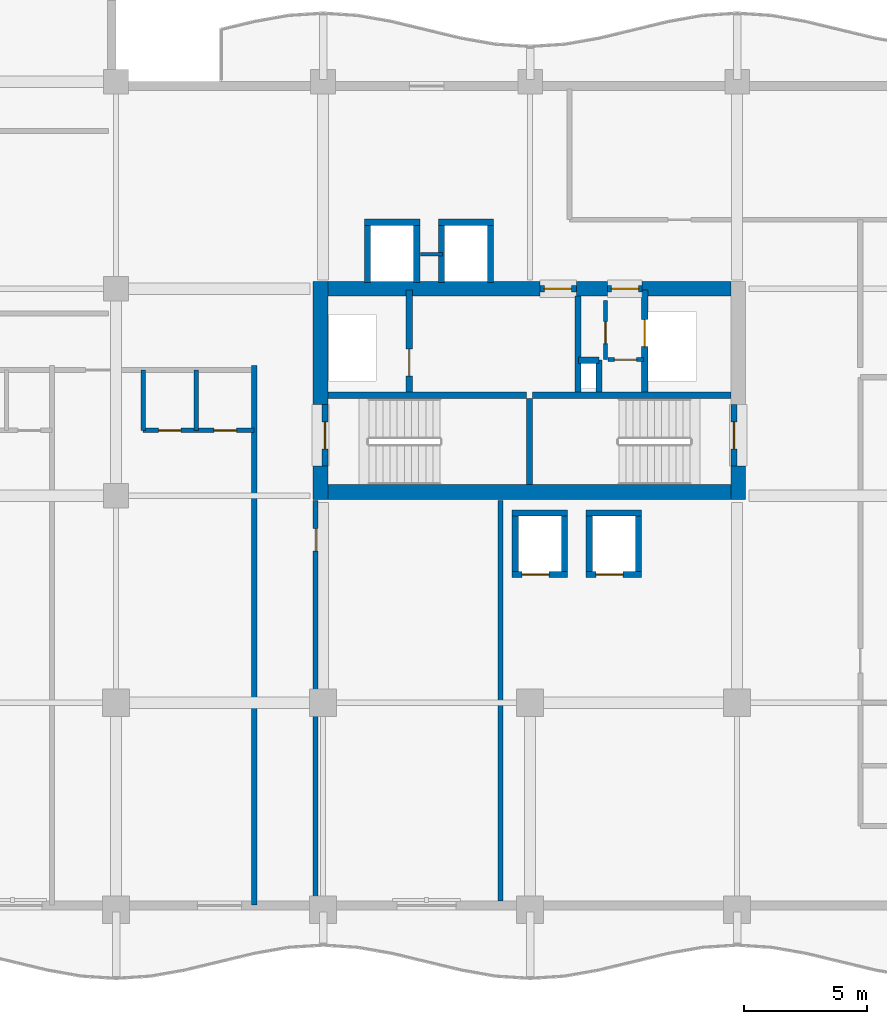
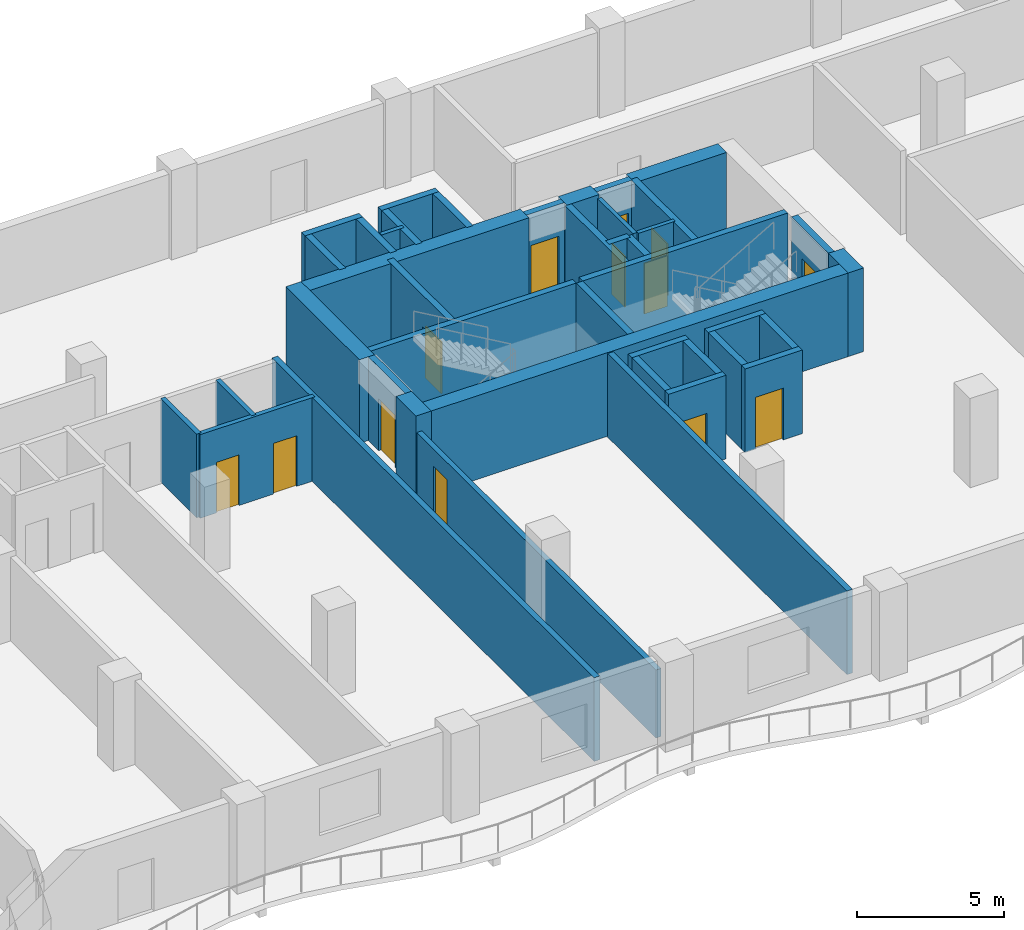
# One storey, part 8 of 19: 42 walls, 13 doors, 13 openings.
"""IFC4 building model written with IfcOpenShell, lengths in metres."""

import ifcopenshell
import ifcopenshell.guid

model = None  # the IFC model being written
_history = None  # IfcOwnerHistory: only IFC2X3 demands one
_inside = {}  # id of a spatial element -> (the spatial element, [elements in it])
_under = {}  # id of a project, library or spatial element -> (it, [spatial elements below it])
_declared = {}  # id of a project -> (the project, [libraries it declares])
_typed = {}  # id of a type object -> (the type object, [elements of that type])
_made_of = {}  # id of a material, layer set ... -> (it, [elements and type objects made of it])


def new_model(schema):
    """Start an empty IFC model of exactly this schema.

    Asked for "IFC4X3", IfcOpenShell would pick the latest addendum, in which some entities
    have other attributes; the version numbers below select the first issue.
    IFC2X3 requires an IfcOwnerHistory on every rooted entity: one is made here for all.
    """
    global model, _history
    if schema == "IFC4X3":
        model = ifcopenshell.file(schema_version=(4, 3, 0, 0))
    else:
        model = ifcopenshell.file(schema=schema)
    _inside.clear()
    _under.clear()
    _declared.clear()
    _typed.clear()
    _made_of.clear()
    _history = None
    if model.schema == "IFC2X3":
        org = make("IfcOrganization", Name="unknown")
        user = make(
            "IfcPersonAndOrganization",
            ThePerson=make("IfcPerson", FamilyName="unknown"),
            TheOrganization=org,
        )
        app = make(
            "IfcApplication",
            ApplicationDeveloper=org,
            Version="unknown",
            ApplicationFullName="unknown",
            ApplicationIdentifier="unknown",
        )
        _history = make(
            "IfcOwnerHistory",
            OwningUser=user,
            OwningApplication=app,
            ChangeAction="ADDED",
            CreationDate=0,
        )
    return model


def make(cls, **values):
    """One entity of the class cls with the attributes given. An attribute that is None is left unset."""
    return model.create_entity(
        cls, **{name: value for name, value in values.items() if value is not None}
    )


def rooted(cls, **values):
    """An entity with a GlobalId (a new one), such as an element, a storey or a relation."""
    return make(cls, GlobalId=ifcopenshell.guid.new(), OwnerHistory=_history, **values)


def si_unit(unit_type, name, prefix=None):
    """IfcSIUnit, for example si_unit("LENGTHUNIT", "METRE", prefix="MILLI")."""
    return make("IfcSIUnit", UnitType=unit_type, Prefix=prefix, Name=name)


def assignment(units):
    """IfcUnitAssignment: the units of a project."""
    return None if units is None else make("IfcUnitAssignment", Units=units)


def point(xyz):
    """IfcCartesianPoint."""
    return None if xyz is None else make("IfcCartesianPoint", Coordinates=xyz)


def direction(xyz):
    """IfcDirection."""
    return None if xyz is None else make("IfcDirection", DirectionRatios=xyz)


def frame(location, z_axis=None, x_axis=None):
    """IfcAxis2Placement3D, a coordinate frame: its origin and axes. An axis left out is left unset."""
    return make(
        "IfcAxis2Placement3D",
        Location=point(location),
        Axis=direction(z_axis),
        RefDirection=direction(x_axis),
    )


def frame_2d(location, x_axis=None):
    """IfcAxis2Placement2D, a coordinate frame in the plane: its origin and x axis."""
    return make(
        "IfcAxis2Placement2D", Location=point(location), RefDirection=direction(x_axis)
    )


def origin():
    """The frame at (0, 0, 0) with its axes left unset."""
    return frame((0.0, 0.0, 0.0))


def place(relative_to, where):
    """IfcLocalPlacement: puts the frame where relative to a parent placement (None: the world)."""
    return make(
        "IfcLocalPlacement", PlacementRelTo=relative_to, RelativePlacement=where
    )


def context(
    kind, dimensions, precision=None, world=None, true_north=None, identifier=None
):
    """IfcGeometricRepresentationContext, for example the 3D "Model" context."""
    return make(
        "IfcGeometricRepresentationContext",
        ContextIdentifier=identifier,
        ContextType=kind,
        CoordinateSpaceDimension=dimensions,
        Precision=precision,
        WorldCoordinateSystem=world,
        TrueNorth=true_north,
    )


def subcontext(parent, identifier, kind, view, scale=None):
    """IfcGeometricRepresentationSubContext, for example "Body" below "Model"."""
    return make(
        "IfcGeometricRepresentationSubContext",
        ContextIdentifier=identifier,
        ContextType=kind,
        ParentContext=parent,
        TargetScale=scale,
        TargetView=view,
    )


def project(units=None, contexts=None):
    """IfcProject with its units and contexts."""
    return rooted(
        "IfcProject",
        Name="project",
        RepresentationContexts=contexts,
        UnitsInContext=assignment(units),
    )


def spatial(cls, under=None, at=None, **own):
    """A site, building, storey or space (cls), placed at a placement, below another one or the project."""
    s = rooted(cls, ObjectPlacement=at, **own)
    if under is not None:
        _under.setdefault(under.id(), (under, []))[1].append(s)
    return s


def profile(cls, at=None, kind="AREA", **sizes):
    """A parametric profile (cls). Its sizes go by their IFC names, for example OverallWidth=200.0."""
    return make(cls, ProfileType=kind, Position=at, **sizes)


def rectangle(**sizes):
    """IfcRectangleProfileDef."""
    return profile("IfcRectangleProfileDef", **sizes)


def extrude(swept, where, along, depth):
    """IfcExtrudedAreaSolid: the profile swept, set in the frame where, extruded along a direction by depth."""
    return make(
        "IfcExtrudedAreaSolid",
        SweptArea=swept,
        Position=where,
        ExtrudedDirection=direction(along),
        Depth=depth,
    )


def shape(context_of_items, identifier, shape_type, items):
    """IfcShapeRepresentation: the items that make up one representation, for example the "Body"."""
    return make(
        "IfcShapeRepresentation",
        ContextOfItems=context_of_items,
        RepresentationIdentifier=identifier,
        RepresentationType=shape_type,
        Items=items,
    )


def material(Name=None, Category=None):
    """IfcMaterial."""
    return make("IfcMaterial", Name=Name, Category=Category)


def layer(
    of_material, thickness, ventilated=None, Name=None, Category=None, Priority=None
):
    """IfcMaterialLayer: one layer of a wall or slab, of a material (None: an air gap)."""
    return make(
        "IfcMaterialLayer",
        Material=of_material,
        LayerThickness=thickness,
        IsVentilated=ventilated,
        Name=Name,
        Category=Category,
        Priority=Priority,
    )


def layer_set(layers, Name=None):
    """IfcMaterialLayerSet."""
    return make("IfcMaterialLayerSet", MaterialLayers=layers, LayerSetName=Name)


def made_of(thing, what):
    """Note that an element or type object is made of a material, layer set ...; save() writes the relation."""
    if what is not None:
        _made_of.setdefault(what.id(), (what, []))[1].append(thing)
    return thing


def type_object(cls, material=None, **own):
    """A type object (cls), such as IfcWallType, which elements share."""
    return made_of(rooted(cls, **own), material)


def element(
    cls,
    number,
    at=None,
    inside=None,
    cuts=None,
    type_object=None,
    material=None,
    context=None,
    identifier="Body",
    shape_type=None,
    held_by="IfcProductDefinitionShape",
    body=None,
    shapes=None,
    **own,
):
    """One element of the class cls, such as IfcWall. Its Tag is "e" and its number.

    at: its placement. inside: the storey or other place that contains it. cuts: it is an
    opening in that element (IfcRelVoidsElement). A single representation is given by context,
    identifier, shape_type and body (its items); several are given by shapes. held_by: the class
    of the entity that holds the representations. save() writes the other relations.
    """
    e = rooted(cls, Tag="e%d" % number, ObjectPlacement=at, **own)
    if body is not None:
        shapes = [shape(context, identifier, shape_type, body)]
    if shapes is not None:
        e.Representation = make(held_by, Representations=shapes)
    if inside is not None:
        _inside.setdefault(inside.id(), (inside, []))[1].append(e)
    if cuts is not None:
        rooted(
            "IfcRelVoidsElement", RelatingBuildingElement=cuts, RelatedOpeningElement=e
        )
    if type_object is not None:
        _typed.setdefault(type_object.id(), (type_object, []))[1].append(e)
    return made_of(e, material)


def fill(opening, filler):
    """IfcRelFillsElement: the door or window that sits in an opening."""
    return rooted(
        "IfcRelFillsElement",
        RelatingOpeningElement=opening,
        RelatedBuildingElement=filler,
    )


def aggregate(whole, parts):
    """IfcRelAggregates: a whole, such as a stair, and the parts it consists of."""
    return rooted("IfcRelAggregates", RelatingObject=whole, RelatedObjects=parts)


def save(model, path):
    """Write the relations noted so far, then the file.

    IfcRelAggregates (storeys below a building ...), IfcRelContainedInSpatialStructure (elements
    in a storey), IfcRelDefinesByType, IfcRelAssociatesMaterial and IfcRelDeclares: one each for
    every whole, place, type object, material and project.
    """
    for whole, parts in _under.values():
        aggregate(whole, parts)
    for where, things in _inside.values():
        rooted(
            "IfcRelContainedInSpatialStructure",
            RelatedElements=things,
            RelatingStructure=where,
        )
    for kind, things in _typed.values():
        rooted("IfcRelDefinesByType", RelatedObjects=things, RelatingType=kind)
    for what, things in _made_of.values():
        rooted("IfcRelAssociatesMaterial", RelatedObjects=things, RelatingMaterial=what)
    for by, libraries in _declared.values():
        rooted("IfcRelDeclares", RelatingContext=by, RelatedDefinitions=libraries)
    model.write(path)


model = new_model("IFC4")

# Units and contexts
model_context = context("Model", 3, precision=1e-05, world=origin(), true_north=direction((0.0, 1.0)))
body_context = subcontext(model_context, "Body", "Model", "MODEL_VIEW")
ifc_project = project(units=[si_unit("LENGTHUNIT", "METRE"), si_unit("AREAUNIT", "SQUARE_METRE"), si_unit("VOLUMEUNIT", "CUBIC_METRE"), si_unit("PLANEANGLEUNIT", "RADIAN"), si_unit("MASSUNIT", "GRAM", prefix="KILO")], contexts=[model_context])

# Site, building, storey
site_placement = place(None, origin())
site = spatial("IfcSite", under=ifc_project, at=site_placement, CompositionType="ELEMENT")
building_placement = place(site_placement, origin())
building = spatial("IfcBuilding", under=site, at=building_placement, Name="Koriwani Terraces Tower", CompositionType="ELEMENT")
storey_placement = place(building_placement, frame((0.0, 0.0, 190.199951171875)))
storey = spatial("IfcBuildingStorey", under=building, at=storey_placement, Name="L46", CompositionType="ELEMENT", Elevation=190.199951171875)

# Walls
ifc_material_1 = material(Name="Concrete C60/75", Category="concrete")
ifc_layer_1 = layer(ifc_material_1, 0.60009765625, Name="Concrete C60/75")
ifc_layer_set_1 = layer_set([ifc_layer_1], Name="Concrete C60/75")
wall_type_1 = type_object("IfcWallType", Name="WALL_CORE_RC_600", PredefinedType="SHEAR", material=ifc_layer_set_1)
wall_1_placement = place(storey_placement, frame((41.89990234375, 16.64990234375, 0.0), z_axis=(0.0, 0.0, 1.0), x_axis=(0.0, 1.0, 0.0)))
element("IfcWall", 1, at=wall_1_placement, inside=storey, type_object=wall_type_1, Name="L46 East Split Core Shear Wall W1", PredefinedType="SHEAR", context=body_context, shape_type="SweptSolid", body=[
    extrude(rectangle(XDim=1.35009765625, YDim=0.60009765625, at=frame_2d((0.675048828125, 0.0))), origin(), (0.0, 0.0, 1.0), 3.469970703125),
])
wall_2_placement = place(storey_placement, frame((41.89990234375, 20.5, 0.0), z_axis=(0.0, 0.0, 1.0), x_axis=(0.0, 1.0, 0.0)))
element("IfcWall", 2, at=wall_2_placement, inside=storey, type_object=wall_type_1, Name="L46 East Split Core Shear Wall W2", PredefinedType="SHEAR", context=body_context, shape_type="SweptSolid", body=[
    extrude(rectangle(XDim=5.0, YDim=0.60009765625, at=frame_2d((2.5, 0.0))), origin(), (0.0, 0.0, 1.0), 3.469970703125),
])
wall_3_placement = place(storey_placement, frame((58.85009765625, 16.64990234375, 0.0), z_axis=(0.0, 0.0, 1.0), x_axis=(0.0, 1.0, 0.0)))
element("IfcWall", 3, at=wall_3_placement, inside=storey, type_object=wall_type_1, Name="L46 East Split Core Shear Wall E1", PredefinedType="SHEAR", context=body_context, shape_type="SweptSolid", body=[
    extrude(rectangle(XDim=1.35009765625, YDim=0.60009765625, at=frame_2d((0.675048828125, 0.0))), origin(), (0.0, 0.0, 1.0), 3.469970703125),
])
wall_4_placement = place(storey_placement, frame((42.199951171875, 16.949951171875, 0.0), z_axis=(0.0, 0.0, 1.0), x_axis=(1.0, 0.0, 0.0)))
element("IfcWall", 4, at=wall_4_placement, inside=storey, type_object=wall_type_1, Name="L46 East Split Core Shear Wall S1", PredefinedType="SHEAR", context=body_context, shape_type="SweptSolid", body=[
    extrude(rectangle(XDim=16.35009765625, YDim=0.60009765625, at=frame_2d((8.175048828125, 0.0))), origin(), (0.0, 0.0, 1.0), 3.469970703125),
])
wall_5_placement = place(storey_placement, frame((42.199951171875, 25.199951171875, 0.0), z_axis=(0.0, 0.0, 1.0), x_axis=(1.0, 0.0, 0.0)))
element("IfcWall", 5, at=wall_5_placement, inside=storey, type_object=wall_type_1, Name="L46 East Split Core Shear Wall N1", PredefinedType="SHEAR", context=body_context, shape_type="SweptSolid", body=[
    extrude(rectangle(XDim=8.60009765625, YDim=0.60009765625, at=frame_2d((4.300048828125, 0.0))), origin(), (0.0, 0.0, 1.0), 3.469970703125),
])
wall_6_placement = place(storey_placement, frame((52.280029296875, 25.199951171875, 0.0), z_axis=(0.0, 0.0, 1.0), x_axis=(1.0, 0.0, 0.0)))
element("IfcWall", 6, at=wall_6_placement, inside=storey, type_object=wall_type_1, Name="L46 East Split Core Shear Wall N2", PredefinedType="SHEAR", context=body_context, shape_type="SweptSolid", body=[
    extrude(rectangle(XDim=1.27001953125, YDim=0.60009765625, at=frame_2d((0.635009765625, 0.0))), origin(), (0.0, 0.0, 1.0), 3.469970703125),
])
wall_7_placement = place(storey_placement, frame((54.949951171875, 25.199951171875, 0.0), z_axis=(0.0, 0.0, 1.0), x_axis=(1.0, 0.0, 0.0)))
element("IfcWall", 7, at=wall_7_placement, inside=storey, type_object=wall_type_1, Name="L46 East Split Core Shear Wall N3", PredefinedType="SHEAR", context=body_context, shape_type="SweptSolid", body=[
    extrude(rectangle(XDim=3.60009765625, YDim=0.60009765625, at=frame_2d((1.800048828125, 0.0))), origin(), (0.0, 0.0, 1.0), 3.469970703125),
])

# Wall, opening, door
ifc_material_2 = material(Name="Autoclaved Cellular Concrete Blockwork", Category="masonry")
ifc_layer_2 = layer(ifc_material_2, 0.199951171875, Name="Autoclaved Cellular Concrete Blockwork")
ifc_layer_set_2 = layer_set([ifc_layer_2], Name="Autoclaved Cellular Concrete Blockwork")
wall_type_2 = type_object("IfcWallType", Name="WALL_CORRIDOR_200", PredefinedType="PARTITIONING", material=ifc_layer_set_2)
wall_8_placement = place(storey_placement, frame((41.699951171875, 0.35009765625, 0.0), z_axis=(0.0, 0.0, 1.0), x_axis=(0.0, 1.0, 0.0)))
wall_8 = element("IfcWall", 8, at=wall_8_placement, inside=storey, type_object=wall_type_2, Name="L46 Interior Wall WREC-EW-L46", PredefinedType="PARTITIONING", context=body_context, shape_type="SweptSolid", body=[
    extrude(rectangle(XDim=16.25, YDim=0.199951171875, at=frame_2d((8.125, 0.0))), origin(), (0.0, 0.0, 1.0), 2.820068359375),
])
opening_1_placement = place(wall_8_placement, frame((14.199951171875, 0.0, 0.0)))
opening_1 = element("IfcOpeningElement", 9, at=opening_1_placement, cuts=wall_8, Name="Opening D-06", PredefinedType="OPENING", context=body_context, shape_type="SweptSolid", body=[
    extrude(rectangle(XDim=0.919921875, YDim=2.10009765625, at=frame_2d((0.4599609375, 1.050048828125))), frame((0.0, 0.10986328125, 0.0), z_axis=(0.0, -1.0, 0.0), x_axis=(1.0, 0.0, 0.0)), (0.0, 0.0, 1.0), 0.219970703125),
])
ifc_material_3 = material(Name="Architectural Oak Fire Door", Category="wood")
door_type_1 = type_object("IfcDoorType", Name="DOOR_ROOM_INT_920X2100", OperationType="NOTDEFINED", PredefinedType="DOOR", material=ifc_material_3)
door_1_placement = place(opening_1_placement, origin())
door_1 = element("IfcDoor", 10, at=door_1_placement, inside=storey, type_object=door_type_1, Name="L46 Resident Co-Working Study Door", OperationType="SINGLE_SWING_LEFT", OverallHeight=2.10009765625, OverallWidth=0.919921875, PredefinedType="DOOR", context=body_context, shape_type="SweptSolid", body=[
    extrude(rectangle(XDim=0.919921875, YDim=2.10009765625, at=frame_2d((0.4599609375, 1.050048828125))), frame((0.0, 0.02490234375, 0.0), z_axis=(0.0, -1.0, 0.0), x_axis=(1.0, 0.0, 0.0)), (0.0, 0.0, 1.0), 0.050048828125),
])
fill(opening_1, door_1)

# Walls
ifc_layer_3 = layer(ifc_material_2, 0.219970703125, Name="Autoclaved Cellular Concrete Blockwork")
ifc_layer_set_3 = layer_set([ifc_layer_3], Name="Autoclaved Cellular Concrete Blockwork")
wall_type_3 = type_object("IfcWallType", Name="WALL_DEMISING_220", PredefinedType="PARTITIONING", material=ifc_layer_set_3)
wall_9_placement = place(storey_placement, frame((49.199951171875, 0.35009765625, 0.0), z_axis=(0.0, 0.0, 1.0), x_axis=(0.0, 1.0, 0.0)))
element("IfcWall", 11, at=wall_9_placement, inside=storey, type_object=wall_type_3, Name="L46 Interior Wall WREC-EE-L46", PredefinedType="PARTITIONING", context=body_context, shape_type="SweptSolid", body=[
    extrude(rectangle(XDim=16.25, YDim=0.219970703125, at=frame_2d((8.125, 0.0))), origin(), (0.0, 0.0, 1.0), 3.469970703125),
])
wall_10_placement = place(storey_placement, frame((39.199951171875, 0.199951171875, 0.0), z_axis=(0.0, 0.0, 1.0), x_axis=(0.0, 1.0, 0.0)))
element("IfcWall", 12, at=wall_10_placement, inside=storey, type_object=wall_type_3, Name="L46 Interior Wall WRDEME-L46-SW", PredefinedType="PARTITIONING", context=body_context, shape_type="SweptSolid", body=[
    extrude(rectangle(XDim=21.880126953125, YDim=0.219970703125, at=frame_2d((10.93994140625, 0.0))), origin(), (0.0, 0.0, 1.0), 3.469970703125),
])

# Wall, openings, doors
ifc_material_4 = material(Name="Fire-Rated Acoustic Gypsum Partition", Category="masonry")
ifc_layer_4 = layer(ifc_material_4, 0.179931640625, Name="Fire-Rated Acoustic Gypsum Partition")
ifc_layer_set_4 = layer_set([ifc_layer_4], Name="Fire-Rated Acoustic Gypsum Partition")
wall_type_4 = type_object("IfcWallType", Name="WALL_PLUMBING_180", PredefinedType="PLUMBINGWALL", material=ifc_layer_set_4)
wall_11_placement = place(storey_placement, frame((34.699951171875, 19.449951171875, 0.0), z_axis=(0.0, 0.0, 1.0), x_axis=(1.0, 0.0, 0.0)))
wall_11 = element("IfcWall", 13, at=wall_11_placement, inside=storey, type_object=wall_type_4, Name="L46 Interior Wall WRSVC-L46-SW-4", PredefinedType="PLUMBINGWALL", context=body_context, shape_type="SweptSolid", body=[
    extrude(rectangle(XDim=4.5, YDim=0.179931640625, at=frame_2d((2.25, 0.0))), origin(), (0.0, 0.0, 1.0), 3.469970703125),
])
opening_2_placement = place(wall_11_placement, frame((0.6298828125, 0.0, 0.0)))
opening_2 = element("IfcOpeningElement", 14, at=opening_2_placement, cuts=wall_11, Name="Opening D-07", PredefinedType="OPENING", context=body_context, shape_type="SweptSolid", body=[
    extrude(rectangle(XDim=0.89990234375, YDim=2.10009765625, at=frame_2d((0.449951171875, 1.050048828125))), frame((0.0, 0.10009765625, 0.0), z_axis=(0.0, -1.0, 0.0), x_axis=(1.0, 0.0, 0.0)), (0.0, 0.0, 1.0), 0.199951171875),
])
opening_3_placement = place(wall_11_placement, frame((2.8701171875, 0.0, 0.0)))
opening_3 = element("IfcOpeningElement", 15, at=opening_3_placement, cuts=wall_11, Name="Opening D-06", PredefinedType="OPENING", context=body_context, shape_type="SweptSolid", body=[
    extrude(rectangle(XDim=0.919921875, YDim=2.10009765625, at=frame_2d((0.4599609375, 1.050048828125))), frame((0.0, 0.10009765625, 0.0), z_axis=(0.0, -1.0, 0.0), x_axis=(1.0, 0.0, 0.0)), (0.0, 0.0, 1.0), 0.199951171875),
])
door_type_2 = type_object("IfcDoorType", Name="DOOR_BATH_INT_900X2100", OperationType="NOTDEFINED", PredefinedType="DOOR", material=ifc_material_3)
door_2_placement = place(opening_2_placement, origin())
door_2 = element("IfcDoor", 16, at=door_2_placement, inside=storey, type_object=door_type_2, Name="Apartment 46SW5 Bathroom Door", OperationType="SINGLE_SWING_LEFT", OverallHeight=2.10009765625, OverallWidth=0.89990234375, PredefinedType="DOOR", context=body_context, shape_type="SweptSolid", body=[
    extrude(rectangle(XDim=0.89990234375, YDim=2.10009765625, at=frame_2d((0.449951171875, 1.050048828125))), frame((0.0, 0.02490234375, 0.0), z_axis=(0.0, -1.0, 0.0), x_axis=(1.0, 0.0, 0.0)), (0.0, 0.0, 1.0), 0.050048828125),
])
fill(opening_2, door_2)
door_3_placement = place(opening_3_placement, origin())
door_3 = element("IfcDoor", 17, at=door_3_placement, inside=storey, type_object=door_type_1, Name="Apartment 46SW5 Kitchen Door", OperationType="SINGLE_SWING_RIGHT", OverallHeight=2.10009765625, OverallWidth=0.919921875, PredefinedType="DOOR", context=body_context, shape_type="SweptSolid", body=[
    extrude(rectangle(XDim=0.919921875, YDim=2.10009765625, at=frame_2d((0.4599609375, 1.050048828125))), frame((0.0, 0.02490234375, 0.0), z_axis=(0.0, -1.0, 0.0), x_axis=(1.0, 0.0, 0.0)), (0.0, 0.0, 1.0), 0.050048828125),
])
fill(opening_3, door_3)

# Walls
for number, where, z_axis, x_axis, name in (
    (18, (34.699951171875, 19.449951171875, 0.0), (0.0, 0.0, 1.0), (0.0, 1.0, 0.0), "L46 Interior Wall WRSVCS-L46-SW-4"),
    (19, (36.860107421875, 19.449951171875, 0.0), (0.0, 0.0, 1.0), (0.0, 1.0, 0.0), "L46 Interior Wall WRSVCM-L46-SW-4"),
):
    element("IfcWall", number, at=place(storey_placement, frame(where, z_axis=z_axis, x_axis=x_axis)), inside=storey, type_object=wall_type_4, Name=name, PredefinedType="PLUMBINGWALL", context=body_context, shape_type="SweptSolid", body=[
        extrude(rectangle(XDim=2.449951171875, YDim=0.179931640625, at=frame_2d((1.22509765625, 0.0))), origin(), (0.0, 0.0, 1.0), 3.469970703125),
    ])
ifc_material_5 = material(Name="Concrete C40/50", Category="concrete")
ifc_layer_5 = layer(ifc_material_5, 0.25, Name="Concrete C40/50")
ifc_layer_set_5 = layer_set([ifc_layer_5], Name="Concrete C40/50")
wall_type_5 = type_object("IfcWallType", Name="WALL_SHAFT_RATED_250", PredefinedType="SOLIDWALL", material=ifc_layer_set_5)
for number, where, z_axis, x_axis, name in (
    (20, (42.199951171875, 20.875, 0.0), (0.0, 0.0, 1.0), (1.0, 0.0, 0.0), "L46 East Split Core Web Wall MID1"),
    (21, (50.5, 20.875, 0.0), (0.0, 0.0, 1.0), (1.0, 0.0, 0.0), "L46 East Split Core Web Wall MID2"),
):
    element("IfcWall", number, at=place(storey_placement, frame(where, z_axis=z_axis, x_axis=x_axis)), inside=storey, type_object=wall_type_5, Name=name, PredefinedType="SOLIDWALL", context=body_context, shape_type="SweptSolid", body=[
        extrude(rectangle(XDim=8.050048828125, YDim=0.25, at=frame_2d((4.02490234375, 0.0))), origin(), (0.0, 0.0, 1.0), 3.469970703125),
    ])
wall_12_placement = place(storey_placement, frame((50.375, 17.25, 0.0), z_axis=(0.0, 0.0, 1.0), x_axis=(0.0, 1.0, 0.0)))
element("IfcWall", 22, at=wall_12_placement, inside=storey, type_object=wall_type_5, Name="L46 East Split Core Stair Dividing Wall", PredefinedType="SOLIDWALL", context=body_context, shape_type="SweptSolid", body=[
    extrude(rectangle(XDim=3.5, YDim=0.25, at=frame_2d((1.75, 0.0))), origin(), (0.0, 0.0, 1.0), 3.469970703125),
])

# Wall, opening, door
wall_13_placement = place(storey_placement, frame((42.074951171875, 18.0, 0.0), z_axis=(0.0, 0.0, 1.0), x_axis=(0.0, 1.0, 0.0)))
wall_13 = element("IfcWall", 23, at=wall_13_placement, inside=storey, type_object=wall_type_5, Name="L46 Interior Wall WIN-CE-L46-STW", PredefinedType="SOLIDWALL", context=body_context, shape_type="SweptSolid", body=[
    extrude(rectangle(XDim=2.5, YDim=0.25, at=frame_2d((1.25, 0.0))), origin(), (0.0, 0.0, 1.0), 3.469970703125),
])
opening_4_placement = place(wall_13_placement, frame((0.699951171875, 0.0, 0.0)))
opening_4 = element("IfcOpeningElement", 24, at=opening_4_placement, cuts=wall_13, Name="Opening D-03", PredefinedType="OPENING", context=body_context, shape_type="SweptSolid", body=[
    extrude(rectangle(XDim=1.10009765625, YDim=2.14990234375, at=frame_2d((0.550048828125, 1.074951171875))), frame((0.0, 0.135009765625, 0.0), z_axis=(0.0, -1.0, 0.0), x_axis=(1.0, 0.0, 0.0)), (0.0, 0.0, 1.0), 0.27001953125),
])
ifc_material_6 = material(Name="Steel ASTM A572 Grade 50", Category="steel")
door_type_3 = type_object("IfcDoorType", Name="DOOR_STAIR_FIRE_1100X2150", OperationType="NOTDEFINED", PredefinedType="DOOR", material=ifc_material_6)
door_4_placement = place(opening_4_placement, origin())
door_4 = element("IfcDoor", 25, at=door_4_placement, inside=storey, type_object=door_type_3, Name="L46 Exit Stair ST-E1 Door", OperationType="SINGLE_SWING_RIGHT", OverallHeight=2.14990234375, OverallWidth=1.10009765625, PredefinedType="DOOR", context=body_context, shape_type="SweptSolid", body=[
    extrude(rectangle(XDim=1.10009765625, YDim=2.14990234375, at=frame_2d((0.550048828125, 1.074951171875))), frame((0.0, 0.02490234375, 0.0), z_axis=(0.0, -1.0, 0.0), x_axis=(1.0, 0.0, 0.0)), (0.0, 0.0, 1.0), 0.050048828125),
])
fill(opening_4, door_4)

wall_14_placement = place(storey_placement, frame((58.675048828125, 18.0, 0.0), z_axis=(0.0, 0.0, 1.0), x_axis=(0.0, 1.0, 0.0)))
wall_14 = element("IfcWall", 26, at=wall_14_placement, inside=storey, type_object=wall_type_5, Name="L46 Interior Wall WIN-CE-L46-STE", PredefinedType="SOLIDWALL", context=body_context, shape_type="SweptSolid", body=[
    extrude(rectangle(XDim=2.5, YDim=0.25, at=frame_2d((1.25, 0.0))), origin(), (0.0, 0.0, 1.0), 3.469970703125),
])
opening_5_placement = place(wall_14_placement, frame((0.699951171875, 0.0, 0.0)))
opening_5 = element("IfcOpeningElement", 27, at=opening_5_placement, cuts=wall_14, Name="Opening D-03", PredefinedType="OPENING", context=body_context, shape_type="SweptSolid", body=[
    extrude(rectangle(XDim=1.10009765625, YDim=2.14990234375, at=frame_2d((0.550048828125, 1.074951171875))), frame((0.0, 0.135009765625, 0.0), z_axis=(0.0, -1.0, 0.0), x_axis=(1.0, 0.0, 0.0)), (0.0, 0.0, 1.0), 0.27001953125),
])
door_5_placement = place(opening_5_placement, origin())
door_5 = element("IfcDoor", 28, at=door_5_placement, inside=storey, type_object=door_type_3, Name="L46 Exit Stair ST-E2 Door", OperationType="SINGLE_SWING_LEFT", OverallHeight=2.14990234375, OverallWidth=1.10009765625, PredefinedType="DOOR", context=body_context, shape_type="SweptSolid", body=[
    extrude(rectangle(XDim=1.10009765625, YDim=2.14990234375, at=frame_2d((0.550048828125, 1.074951171875))), frame((0.0, 0.02490234375, 0.0), z_axis=(0.0, -1.0, 0.0), x_axis=(1.0, 0.0, 0.0)), (0.0, 0.0, 1.0), 0.050048828125),
])
fill(opening_5, door_5)

wall_15_placement = place(storey_placement, frame((45.5, 21.0, 0.0), z_axis=(0.0, 0.0, 1.0), x_axis=(0.0, 1.0, 0.0)))
wall_15 = element("IfcWall", 29, at=wall_15_placement, inside=storey, type_object=wall_type_5, Name="L46 Interior Wall WIN-CE-L46-FE", PredefinedType="SOLIDWALL", context=body_context, shape_type="SweptSolid", body=[
    extrude(rectangle(XDim=4.14990234375, YDim=0.25, at=frame_2d((2.074951171875, 0.0))), origin(), (0.0, 0.0, 1.0), 3.469970703125),
])
opening_6_placement = place(wall_15_placement, frame((0.64990234375, 0.0, 0.0)))
opening_6 = element("IfcOpeningElement", 30, at=opening_6_placement, cuts=wall_15, Name="Opening LD-01", PredefinedType="OPENING", context=body_context, shape_type="SweptSolid", body=[
    extrude(rectangle(XDim=1.10009765625, YDim=2.14990234375, at=frame_2d((0.550048828125, 1.074951171875))), frame((0.0, 0.135009765625, 0.0), z_axis=(0.0, -1.0, 0.0), x_axis=(1.0, 0.0, 0.0)), (0.0, 0.0, 1.0), 0.27001953125),
])
door_type_4 = type_object("IfcDoorType", Name="DOOR_LIFT_LANDING_1100X2200", OperationType="NOTDEFINED", PredefinedType="DOOR", material=ifc_material_6)
door_6_placement = place(opening_6_placement, origin())
door_6 = element("IfcDoor", 31, at=door_6_placement, inside=storey, type_object=door_type_4, Name="L46 Firefighting Lift FE-02 Landing Door", OperationType="SLIDING_TO_LEFT", OverallHeight=2.14990234375, OverallWidth=1.10009765625, PredefinedType="DOOR", context=body_context, shape_type="SweptSolid", body=[
    extrude(rectangle(XDim=1.10009765625, YDim=2.14990234375, at=frame_2d((0.550048828125, 1.074951171875))), frame((0.0, 0.02490234375, 0.0), z_axis=(0.0, -1.0, 0.0), x_axis=(1.0, 0.0, 0.0)), (0.0, 0.0, 1.0), 0.050048828125),
])
fill(opening_6, door_6)

wall_16_placement = place(storey_placement, frame((50.800048828125, 25.199951171875, 0.0), z_axis=(0.0, 0.0, 1.0), x_axis=(1.0, 0.0, 0.0)))
wall_16 = element("IfcWall", 32, at=wall_16_placement, inside=storey, type_object=wall_type_5, Name="L46 Interior Wall WIN-CE-L46-NP", PredefinedType="SOLIDWALL", context=body_context, shape_type="SweptSolid", body=[
    extrude(rectangle(XDim=1.47998046875, YDim=0.25, at=frame_2d((0.739990234375, 0.0))), origin(), (0.0, 0.0, 1.0), 3.469970703125),
])
opening_7_placement = place(wall_16_placement, frame((0.179931640625, 0.0, 0.0)))
opening_7 = element("IfcOpeningElement", 33, at=opening_7_placement, cuts=wall_16, Name="Opening D-03", PredefinedType="OPENING", context=body_context, shape_type="SweptSolid", body=[
    extrude(rectangle(XDim=1.10009765625, YDim=2.14990234375, at=frame_2d((0.550048828125, 1.074951171875))), frame((0.0, 0.135009765625, 0.0), z_axis=(0.0, -1.0, 0.0), x_axis=(1.0, 0.0, 0.0)), (0.0, 0.0, 1.0), 0.27001953125),
])
door_7_placement = place(opening_7_placement, origin())
door_7 = element("IfcDoor", 34, at=door_7_placement, inside=storey, type_object=door_type_3, Name="L46 East Firefighting Lobby Door", OperationType="SINGLE_SWING_RIGHT", OverallHeight=2.14990234375, OverallWidth=1.10009765625, PredefinedType="DOOR", context=body_context, shape_type="SweptSolid", body=[
    extrude(rectangle(XDim=1.10009765625, YDim=2.14990234375, at=frame_2d((0.550048828125, 1.074951171875))), frame((0.0, 0.02490234375, 0.0), z_axis=(0.0, -1.0, 0.0), x_axis=(1.0, 0.0, 0.0)), (0.0, 0.0, 1.0), 0.050048828125),
])
fill(opening_7, door_7)

# Wall
wall_17_placement = place(storey_placement, frame((52.340087890625, 21.0, 0.0), z_axis=(0.0, 0.0, 1.0), x_axis=(0.0, 1.0, 0.0)))
element("IfcWall", 35, at=wall_17_placement, inside=storey, type_object=wall_type_5, Name="L46 Interior Wall WIN-CE-L46-FFE", PredefinedType="SOLIDWALL", context=body_context, shape_type="SweptSolid", body=[
    extrude(rectangle(XDim=3.89990234375, YDim=0.25, at=frame_2d((1.949951171875, 0.0))), origin(), (0.0, 0.0, 1.0), 3.469970703125),
])

# Wall, opening, door
wall_18_placement = place(storey_placement, frame((55.050048828125, 21.0, 0.0), z_axis=(0.0, 0.0, 1.0), x_axis=(0.0, 1.0, 0.0)))
wall_18 = element("IfcWall", 36, at=wall_18_placement, inside=storey, type_object=wall_type_5, Name="L46 Interior Wall WIN-CE-L46-SE", PredefinedType="SOLIDWALL", context=body_context, shape_type="SweptSolid", body=[
    extrude(rectangle(XDim=4.14990234375, YDim=0.25, at=frame_2d((2.074951171875, 0.0))), origin(), (0.0, 0.0, 1.0), 3.469970703125),
])
opening_8_placement = place(wall_18_placement, frame((1.85009765625, 0.0, 0.0)))
opening_8 = element("IfcOpeningElement", 37, at=opening_8_placement, cuts=wall_18, Name="Opening LD-01", PredefinedType="OPENING", context=body_context, shape_type="SweptSolid", body=[
    extrude(rectangle(XDim=1.10009765625, YDim=2.14990234375, at=frame_2d((0.550048828125, 1.074951171875))), frame((0.0, 0.135009765625, 0.0), z_axis=(0.0, -1.0, 0.0), x_axis=(1.0, 0.0, 0.0)), (0.0, 0.0, 1.0), 0.27001953125),
])
door_8_placement = place(opening_8_placement, origin())
door_8 = element("IfcDoor", 38, at=door_8_placement, inside=storey, type_object=door_type_4, Name="L46 Goods Lift SE-02 Landing Door", OperationType="SLIDING_TO_LEFT", OverallHeight=2.14990234375, OverallWidth=1.10009765625, PredefinedType="DOOR", context=body_context, shape_type="SweptSolid", body=[
    extrude(rectangle(XDim=1.10009765625, YDim=2.14990234375, at=frame_2d((0.550048828125, 1.074951171875))), frame((0.0, 0.02490234375, 0.0), z_axis=(0.0, -1.0, 0.0), x_axis=(1.0, 0.0, 0.0)), (0.0, 0.0, 1.0), 0.050048828125),
])
fill(opening_8, door_8)

wall_19_placement = place(storey_placement, frame((53.550048828125, 25.199951171875, 0.0), z_axis=(0.0, 0.0, 1.0), x_axis=(1.0, 0.0, 0.0)))
wall_19 = element("IfcWall", 39, at=wall_19_placement, inside=storey, type_object=wall_type_5, Name="L46 Interior Wall WIN-CE-L46-NP2", PredefinedType="SOLIDWALL", context=body_context, shape_type="SweptSolid", body=[
    extrude(rectangle(XDim=1.39990234375, YDim=0.25, at=frame_2d((0.699951171875, 0.0))), origin(), (0.0, 0.0, 1.0), 3.469970703125),
])
opening_9_placement = place(wall_19_placement, frame((0.14990234375, 0.0, 0.0)))
opening_9 = element("IfcOpeningElement", 40, at=opening_9_placement, cuts=wall_19, Name="Opening D-03", PredefinedType="OPENING", context=body_context, shape_type="SweptSolid", body=[
    extrude(rectangle(XDim=1.10009765625, YDim=2.14990234375, at=frame_2d((0.550048828125, 1.074951171875))), frame((0.0, 0.135009765625, 0.0), z_axis=(0.0, -1.0, 0.0), x_axis=(1.0, 0.0, 0.0)), (0.0, 0.0, 1.0), 0.27001953125),
])
door_9_placement = place(opening_9_placement, origin())
door_9 = element("IfcDoor", 41, at=door_9_placement, inside=storey, type_object=door_type_3, Name="L46 East Goods Lift Lobby Door", OperationType="SINGLE_SWING_LEFT", OverallHeight=2.14990234375, OverallWidth=1.10009765625, PredefinedType="DOOR", context=body_context, shape_type="SweptSolid", body=[
    extrude(rectangle(XDim=1.10009765625, YDim=2.14990234375, at=frame_2d((0.550048828125, 1.074951171875))), frame((0.0, 0.02490234375, 0.0), z_axis=(0.0, -1.0, 0.0), x_axis=(1.0, 0.0, 0.0)), (0.0, 0.0, 1.0), 0.050048828125),
])
fill(opening_9, door_9)

# Walls
wall_20_placement = place(storey_placement, frame((53.199951171875, 21.0, 0.0), z_axis=(0.0, 0.0, 1.0), x_axis=(0.0, 1.0, 0.0)))
element("IfcWall", 42, at=wall_20_placement, inside=storey, type_object=wall_type_5, Name="L46 Interior Wall WIN-CE-L46-RS1", PredefinedType="SOLIDWALL", context=body_context, shape_type="SweptSolid", body=[
    extrude(rectangle(XDim=1.300048828125, YDim=0.25, at=frame_2d((0.64990234375, 0.0))), origin(), (0.0, 0.0, 1.0), 3.469970703125),
])
wall_21_placement = place(storey_placement, frame((52.360107421875, 22.300048828125, 0.0), z_axis=(0.0, 0.0, 1.0), x_axis=(1.0, 0.0, 0.0)))
element("IfcWall", 43, at=wall_21_placement, inside=storey, type_object=wall_type_5, Name="L46 Interior Wall WIN-CE-L46-RS2", PredefinedType="SOLIDWALL", context=body_context, shape_type="SweptSolid", body=[
    extrude(rectangle(XDim=0.83984375, YDim=0.25, at=frame_2d((0.419921875, 0.0))), origin(), (0.0, 0.0, 1.0), 3.469970703125),
])

# Wall, opening, door
wall_22_placement = place(storey_placement, frame((49.675048828125, 13.60009765625, 0.0), z_axis=(0.0, 0.0, 1.0), x_axis=(1.0, 0.0, 0.0)))
wall_22 = element("IfcWall", 44, at=wall_22_placement, inside=storey, type_object=wall_type_5, Name="L46 Interior Wall WIN-LF-PE-M3-L46-F", PredefinedType="SOLIDWALL", context=body_context, shape_type="SweptSolid", body=[
    extrude(rectangle(XDim=2.25, YDim=0.25, at=frame_2d((1.125, 0.0))), origin(), (0.0, 0.0, 1.0), 3.469970703125),
])
opening_10_placement = place(wall_22_placement, frame((0.39990234375, 0.0, 0.0)))
opening_10 = element("IfcOpeningElement", 45, at=opening_10_placement, cuts=wall_22, Name="Opening LD-01", PredefinedType="OPENING", context=body_context, shape_type="SweptSolid", body=[
    extrude(rectangle(XDim=1.10009765625, YDim=2.14990234375, at=frame_2d((0.550048828125, 1.074951171875))), frame((0.0, 0.135009765625, 0.0), z_axis=(0.0, -1.0, 0.0), x_axis=(1.0, 0.0, 0.0)), (0.0, 0.0, 1.0), 0.27001953125),
])
door_10_placement = place(opening_10_placement, origin())
door_10 = element("IfcDoor", 46, at=door_10_placement, inside=storey, type_object=door_type_4, Name="L46 Passenger Lift PE-M3 Landing Door", OperationType="SLIDING_TO_LEFT", OverallHeight=2.14990234375, OverallWidth=1.10009765625, PredefinedType="DOOR", context=body_context, shape_type="SweptSolid", body=[
    extrude(rectangle(XDim=1.10009765625, YDim=2.14990234375, at=frame_2d((0.550048828125, 1.074951171875))), frame((0.0, 0.02490234375, 0.0), z_axis=(0.0, -1.0, 0.0), x_axis=(1.0, 0.0, 0.0)), (0.0, 0.0, 1.0), 0.050048828125),
])
fill(opening_10, door_10)

# Walls
for number, where, z_axis, x_axis, name in (
    (47, (49.675048828125, 16.10009765625, 0.0), (0.0, 0.0, 1.0), (1.0, 0.0, 0.0), "L46 Interior Wall WIN-LF-PE-M3-L46-B"),
    (48, (49.800048828125, 13.72509765625, 0.0), (0.0, 0.0, 1.0), (0.0, 1.0, 0.0), "L46 Interior Wall WIN-LF-PE-M3-L46-W"),
    (49, (51.800048828125, 13.72509765625, 0.0), (0.0, 0.0, 1.0), (0.0, 1.0, 0.0), "L46 Interior Wall WIN-LF-PE-M3-L46-E"),
):
    element("IfcWall", number, at=place(storey_placement, frame(where, z_axis=z_axis, x_axis=x_axis)), inside=storey, type_object=wall_type_5, Name=name, PredefinedType="SOLIDWALL", context=body_context, shape_type="SweptSolid", body=[
        extrude(rectangle(XDim=2.25, YDim=0.25, at=frame_2d((1.125, 0.0))), origin(), (0.0, 0.0, 1.0), 3.469970703125),
    ])

# Wall, opening, door
wall_23_placement = place(storey_placement, frame((52.675048828125, 13.60009765625, 0.0), z_axis=(0.0, 0.0, 1.0), x_axis=(1.0, 0.0, 0.0)))
wall_23 = element("IfcWall", 50, at=wall_23_placement, inside=storey, type_object=wall_type_5, Name="L46 Interior Wall WIN-LF-PE-M4-L46-F", PredefinedType="SOLIDWALL", context=body_context, shape_type="SweptSolid", body=[
    extrude(rectangle(XDim=2.25, YDim=0.25, at=frame_2d((1.125, 0.0))), origin(), (0.0, 0.0, 1.0), 3.469970703125),
])
opening_11_placement = place(wall_23_placement, frame((0.39990234375, 0.0, 0.0)))
opening_11 = element("IfcOpeningElement", 51, at=opening_11_placement, cuts=wall_23, Name="Opening LD-01", PredefinedType="OPENING", context=body_context, shape_type="SweptSolid", body=[
    extrude(rectangle(XDim=1.10009765625, YDim=2.14990234375, at=frame_2d((0.550048828125, 1.074951171875))), frame((0.0, 0.135009765625, 0.0), z_axis=(0.0, -1.0, 0.0), x_axis=(1.0, 0.0, 0.0)), (0.0, 0.0, 1.0), 0.27001953125),
])
door_11_placement = place(opening_11_placement, origin())
door_11 = element("IfcDoor", 52, at=door_11_placement, inside=storey, type_object=door_type_4, Name="L46 Passenger Lift PE-M4 Landing Door", OperationType="SLIDING_TO_LEFT", OverallHeight=2.14990234375, OverallWidth=1.10009765625, PredefinedType="DOOR", context=body_context, shape_type="SweptSolid", body=[
    extrude(rectangle(XDim=1.10009765625, YDim=2.14990234375, at=frame_2d((0.550048828125, 1.074951171875))), frame((0.0, 0.02490234375, 0.0), z_axis=(0.0, -1.0, 0.0), x_axis=(1.0, 0.0, 0.0)), (0.0, 0.0, 1.0), 0.050048828125),
])
fill(opening_11, door_11)

# Walls
for number, where, z_axis, x_axis, name in (
    (53, (52.675048828125, 16.10009765625, 0.0), (0.0, 0.0, 1.0), (1.0, 0.0, 0.0), "L46 Interior Wall WIN-LF-PE-M4-L46-B"),
    (54, (52.800048828125, 13.72509765625, 0.0), (0.0, 0.0, 1.0), (0.0, 1.0, 0.0), "L46 Interior Wall WIN-LF-PE-M4-L46-W"),
    (55, (54.800048828125, 13.72509765625, 0.0), (0.0, 0.0, 1.0), (0.0, 1.0, 0.0), "L46 Interior Wall WIN-LF-PE-M4-L46-E"),
    (56, (43.675048828125, 27.89990234375, 0.0), (0.0, 0.0, 1.0), (1.0, 0.0, 0.0), "L46 Interior Wall WIN-LF-PE-H3-L46-F"),
):
    element("IfcWall", number, at=place(storey_placement, frame(where, z_axis=z_axis, x_axis=x_axis)), inside=storey, type_object=wall_type_5, Name=name, PredefinedType="SOLIDWALL", context=body_context, shape_type="SweptSolid", body=[
        extrude(rectangle(XDim=2.25, YDim=0.25, at=frame_2d((1.125, 0.0))), origin(), (0.0, 0.0, 1.0), 3.469970703125),
    ])
for number, where, z_axis, x_axis, name in (
    (57, (43.800048828125, 25.449951171875, 0.0), (0.0, 0.0, 1.0), (0.0, 1.0, 0.0), "L46 Interior Wall WIN-LF-PE-H3-L46-W"),
    (58, (45.800048828125, 25.449951171875, 0.0), (0.0, 0.0, 1.0), (0.0, 1.0, 0.0), "L46 Interior Wall WIN-LF-PE-H3-L46-E"),
):
    element("IfcWall", number, at=place(storey_placement, frame(where, z_axis=z_axis, x_axis=x_axis)), inside=storey, type_object=wall_type_5, Name=name, PredefinedType="SOLIDWALL", context=body_context, shape_type="SweptSolid", body=[
        extrude(rectangle(XDim=2.324951171875, YDim=0.25, at=frame_2d((1.16259765625, 0.0))), origin(), (0.0, 0.0, 1.0), 3.469970703125),
    ])
wall_24_placement = place(storey_placement, frame((46.675048828125, 27.89990234375, 0.0), z_axis=(0.0, 0.0, 1.0), x_axis=(1.0, 0.0, 0.0)))
element("IfcWall", 59, at=wall_24_placement, inside=storey, type_object=wall_type_5, Name="L46 Interior Wall WIN-LF-PE-H4-L46-F", PredefinedType="SOLIDWALL", context=body_context, shape_type="SweptSolid", body=[
    extrude(rectangle(XDim=2.25, YDim=0.25, at=frame_2d((1.125, 0.0))), origin(), (0.0, 0.0, 1.0), 3.469970703125),
])
for number, where, z_axis, x_axis, name in (
    (60, (46.800048828125, 25.449951171875, 0.0), (0.0, 0.0, 1.0), (0.0, 1.0, 0.0), "L46 Interior Wall WIN-LF-PE-H4-L46-W"),
    (61, (48.800048828125, 25.449951171875, 0.0), (0.0, 0.0, 1.0), (0.0, 1.0, 0.0), "L46 Interior Wall WIN-LF-PE-H4-L46-E"),
):
    element("IfcWall", number, at=place(storey_placement, frame(where, z_axis=z_axis, x_axis=x_axis)), inside=storey, type_object=wall_type_5, Name=name, PredefinedType="SOLIDWALL", context=body_context, shape_type="SweptSolid", body=[
        extrude(rectangle(XDim=2.324951171875, YDim=0.25, at=frame_2d((1.16259765625, 0.0))), origin(), (0.0, 0.0, 1.0), 3.469970703125),
    ])

# Wall, opening, door
ifc_layer_6 = layer(ifc_material_4, 0.159912109375, Name="Fire-Rated Acoustic Gypsum Partition")
ifc_layer_set_6 = layer_set([ifc_layer_6], Name="Fire-Rated Acoustic Gypsum Partition")
wall_type_6 = type_object("IfcWallType", Name="WALL_SUITE_160", PredefinedType="PARTITIONING", material=ifc_layer_set_6)
wall_25_placement = place(storey_placement, frame((53.56005859375, 22.320068359375, 0.0), z_axis=(0.0, 0.0, 1.0), x_axis=(1.0, 0.0, 0.0)))
wall_25 = element("IfcWall", 62, at=wall_25_placement, inside=storey, type_object=wall_type_6, Name="L46 Interior Wall WIN-CE-L46-SV1A", PredefinedType="PARTITIONING", context=body_context, shape_type="SweptSolid", body=[
    extrude(rectangle(XDim=1.43994140625, YDim=0.159912109375, at=frame_2d((0.719970703125, 0.0))), origin(), (0.0, 0.0, 1.0), 3.469970703125),
])
opening_12_placement = place(wall_25_placement, frame((0.260009765625, 0.0, 0.0)))
opening_12 = element("IfcOpeningElement", 63, at=opening_12_placement, cuts=wall_25, Name="Opening D-07", PredefinedType="OPENING", context=body_context, shape_type="SweptSolid", body=[
    extrude(rectangle(XDim=0.89990234375, YDim=2.10009765625, at=frame_2d((0.449951171875, 1.050048828125))), frame((0.0, 0.08984375, 0.0), z_axis=(0.0, -1.0, 0.0), x_axis=(1.0, 0.0, 0.0)), (0.0, 0.0, 1.0), 0.179931640625),
])
door_12_placement = place(opening_12_placement, origin())
door_12 = element("IfcDoor", 64, at=door_12_placement, inside=storey, type_object=door_type_2, Name="L46 East Telecom Room Door", OperationType="SINGLE_SWING_RIGHT", OverallHeight=2.10009765625, OverallWidth=0.89990234375, PredefinedType="DOOR", context=body_context, shape_type="SweptSolid", body=[
    extrude(rectangle(XDim=0.89990234375, YDim=2.10009765625, at=frame_2d((0.449951171875, 1.050048828125))), frame((0.0, 0.02490234375, 0.0), z_axis=(0.0, -1.0, 0.0), x_axis=(1.0, 0.0, 0.0)), (0.0, 0.0, 1.0), 0.050048828125),
])
fill(opening_12, door_12)

wall_26_placement = place(storey_placement, frame((53.4599609375, 22.320068359375, 0.0), z_axis=(0.0, 0.0, 1.0), x_axis=(0.0, 1.0, 0.0)))
wall_26 = element("IfcWall", 65, at=wall_26_placement, inside=storey, type_object=wall_type_6, Name="L46 Interior Wall WIN-CE-L46-SV1B", PredefinedType="PARTITIONING", context=body_context, shape_type="SweptSolid", body=[
    extrude(rectangle(XDim=2.39990234375, YDim=0.159912109375, at=frame_2d((1.199951171875, 0.0))), origin(), (0.0, 0.0, 1.0), 3.469970703125),
])
opening_13_placement = place(wall_26_placement, frame((0.64990234375, 0.0, 0.0)))
opening_13 = element("IfcOpeningElement", 66, at=opening_13_placement, cuts=wall_26, Name="Opening D-07", PredefinedType="OPENING", context=body_context, shape_type="SweptSolid", body=[
    extrude(rectangle(XDim=0.89990234375, YDim=2.10009765625, at=frame_2d((0.449951171875, 1.050048828125))), frame((0.0, 0.08984375, 0.0), z_axis=(0.0, -1.0, 0.0), x_axis=(1.0, 0.0, 0.0)), (0.0, 0.0, 1.0), 0.179931640625),
])
door_13_placement = place(opening_13_placement, origin())
door_13 = element("IfcDoor", 67, at=door_13_placement, inside=storey, type_object=door_type_2, Name="L46 East Cleaners Closet Door", OperationType="SINGLE_SWING_LEFT", OverallHeight=2.10009765625, OverallWidth=0.89990234375, PredefinedType="DOOR", context=body_context, shape_type="SweptSolid", body=[
    extrude(rectangle(XDim=0.89990234375, YDim=2.10009765625, at=frame_2d((0.449951171875, 1.050048828125))), frame((0.0, 0.02490234375, 0.0), z_axis=(0.0, -1.0, 0.0), x_axis=(1.0, 0.0, 0.0)), (0.0, 0.0, 1.0), 0.050048828125),
])
fill(opening_13, door_13)

# Wall
wall_27_placement = place(storey_placement, frame((45.9599609375, 26.60009765625, 0.0), z_axis=(0.0, 0.0, 1.0), x_axis=(1.0, 0.0, 0.0)))
element("IfcWall", 68, at=wall_27_placement, inside=storey, type_object=wall_type_6, Name="L46 Interior Wall WIN-LF-PEH34-MID-L46", PredefinedType="PARTITIONING", context=body_context, shape_type="SweptSolid", body=[
    extrude(rectangle(XDim=0.880126953125, YDim=0.159912109375, at=frame_2d((0.43994140625, 0.0))), origin(), (0.0, 0.0, 1.0), 3.469970703125),
])

save(model, "model.ifc")
